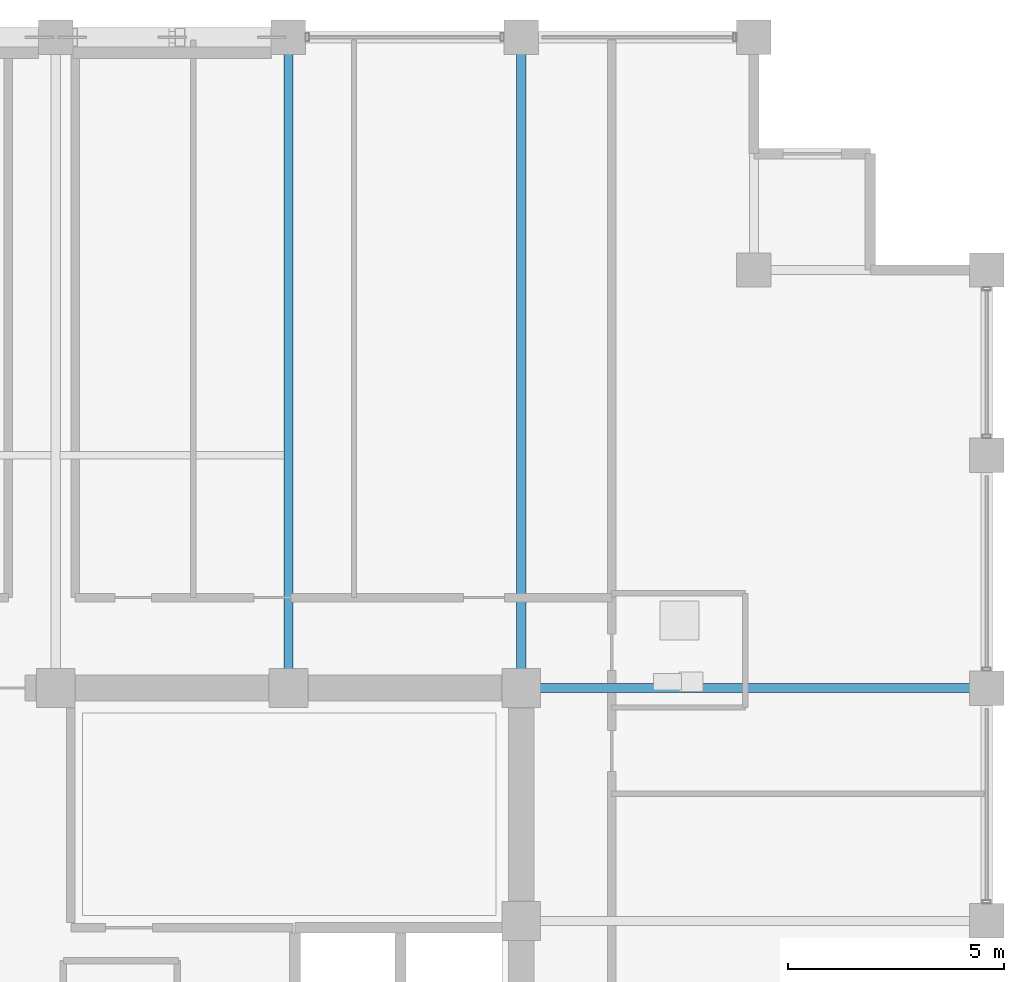
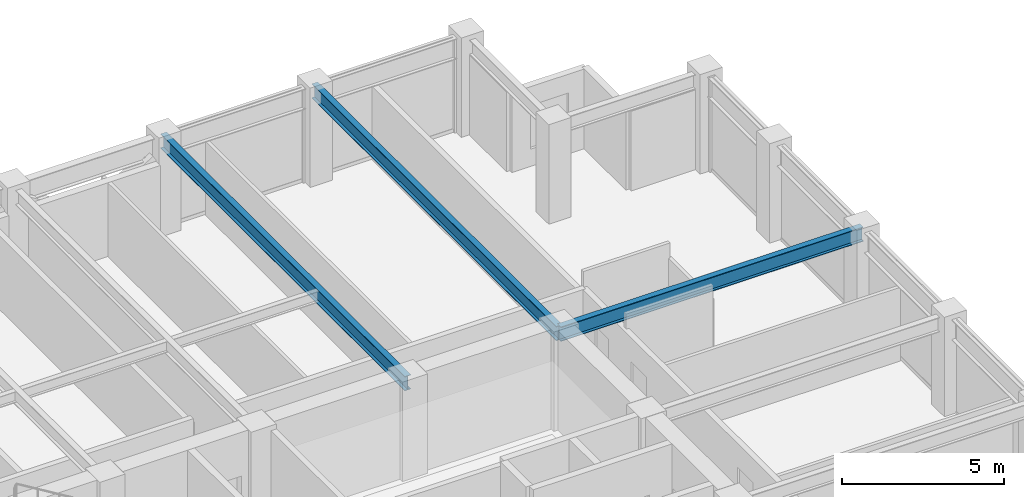
# One storey, part 22 of 32: 3 beams.
"""IFC4 building model written with IfcOpenShell, lengths in metres."""

from ifc_helpers import new_model, si_unit, direction, frame, origin, origin_2d, place, context, subcontext, project, spatial, i_section, extrude, material, material_profile, profile_set, type_object, element, save


model = new_model("IFC4")

# Units and contexts
model_context = context("Model", 3, precision=1e-05, world=origin(), true_north=direction((0.0, 1.0)))
body_context = subcontext(model_context, "Body", "Model", "MODEL_VIEW")
ifc_project = project(units=[si_unit("LENGTHUNIT", "METRE"), si_unit("AREAUNIT", "SQUARE_METRE"), si_unit("VOLUMEUNIT", "CUBIC_METRE"), si_unit("PLANEANGLEUNIT", "RADIAN"), si_unit("MASSUNIT", "GRAM", prefix="KILO")], contexts=[model_context])

# Site, building, storey
site_placement = place(None, origin())
site = spatial("IfcSite", under=ifc_project, at=site_placement, CompositionType="ELEMENT")
building_placement = place(site_placement, origin())
building = spatial("IfcBuilding", under=site, at=building_placement, Name="Surkhivell Harbour Commons", CompositionType="ELEMENT")
storey_placement = place(building_placement, frame((0.0, 0.0, 219.75)))
storey = spatial("IfcBuildingStorey", under=building, at=storey_placement, Name="L57", CompositionType="ELEMENT", Elevation=219.75)

# Beams
ifc_material = material(Name="Steel S355", Category="steel")
ifc_material_profile = material_profile(ifc_material, i_section(OverallWidth=0.2119140625, OverallDepth=0.5439453125, WebThickness=0.0126953125, FlangeThickness=0.021240234375, at=origin_2d()), Name="UB533x210x122")
ifc_profile_set = profile_set([ifc_material_profile], Name="Steel S355")
beam_type = type_object("IfcBeamType", Name="BM-GRD-533A", PredefinedType="BEAM", material=ifc_profile_set)
for number, where, z_axis, x_axis, name in (
    (1, (5.39990234375, 10.800048828125, 3.298095703125), (0.0, 1.0, 0.0), (-1.0, 0.0, 0.0), "L57 Floor Girder (5.4,10.8)"),
    (2, (10.800048828125, 10.800048828125, 3.298095703125), (0.0, 1.0, 0.0), (-1.0, 0.0, 0.0), "L57 Floor Girder (10.8,10.8)"),
):
    element("IfcBeam", number, at=place(storey_placement, frame(where, z_axis=z_axis, x_axis=x_axis)), inside=storey, type_object=beam_type, Name=name, PredefinedType="BEAM", context=body_context, shape_type="SweptSolid", body=[
        extrude(i_section(OverallWidth=0.2119140625, OverallDepth=0.5439453125, WebThickness=0.0126953125, FlangeThickness=0.021240234375, at=origin_2d()), origin(), (0.0, 0.0, 1.0), 15.099853515625),
    ])
beam_placement = place(storey_placement, frame((10.800048828125, 10.800048828125, 3.298095703125), z_axis=(1.0, 0.0, 0.0), x_axis=(0.0, 1.0, 0.0)))
element("IfcBeam", 3, at=beam_placement, inside=storey, type_object=beam_type, Name="L57 Floor Girder (10.8,10.8)", PredefinedType="BEAM", context=body_context, shape_type="SweptSolid", body=[
    extrude(i_section(OverallWidth=0.2119140625, OverallDepth=0.5439453125, WebThickness=0.0126953125, FlangeThickness=0.021240234375, at=origin_2d()), origin(), (0.0, 0.0, 1.0), 10.800048828125),
])

save(model, "model.ifc")
